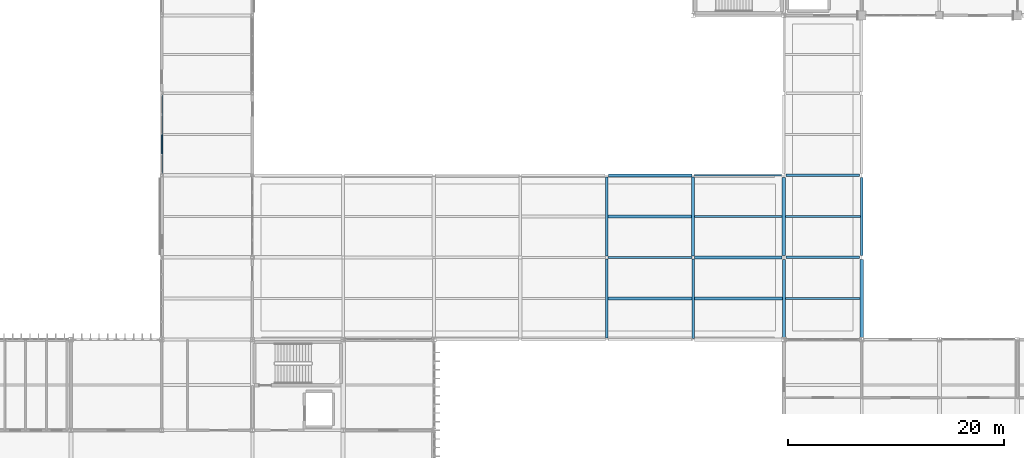
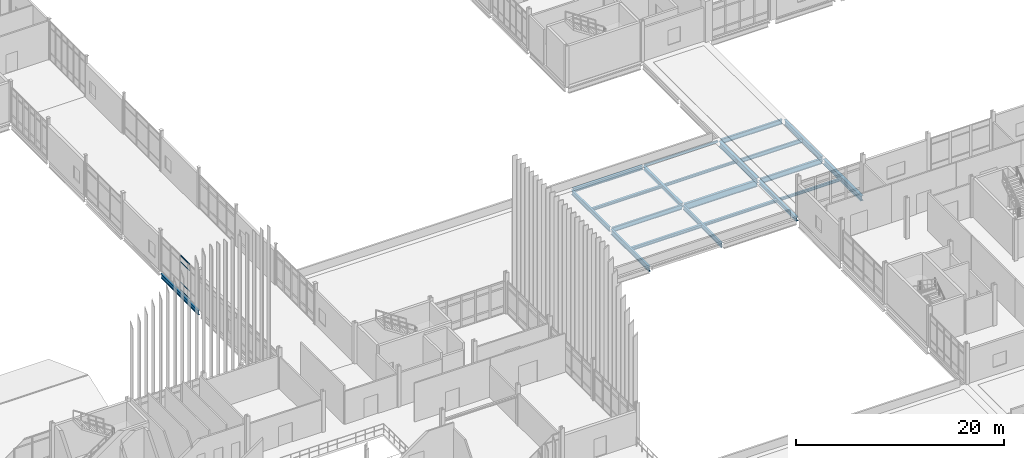
# One storey, part 51 of 153: 21 beams, 4 members, 1 element without a shape of its own.
"""IFC4 building model written with IfcOpenShell, lengths in metres."""

import ifcopenshell
import ifcopenshell.guid

model = None  # the IFC model being written
_history = None  # IfcOwnerHistory: only IFC2X3 demands one
_inside = {}  # id of a spatial element -> (the spatial element, [elements in it])
_under = {}  # id of a project, library or spatial element -> (it, [spatial elements below it])
_declared = {}  # id of a project -> (the project, [libraries it declares])
_typed = {}  # id of a type object -> (the type object, [elements of that type])
_made_of = {}  # id of a material, layer set ... -> (it, [elements and type objects made of it])


def new_model(schema):
    """Start an empty IFC model of exactly this schema.

    Asked for "IFC4X3", IfcOpenShell would pick the latest addendum, in which some entities
    have other attributes; the version numbers below select the first issue.
    IFC2X3 requires an IfcOwnerHistory on every rooted entity: one is made here for all.
    """
    global model, _history
    if schema == "IFC4X3":
        model = ifcopenshell.file(schema_version=(4, 3, 0, 0))
    else:
        model = ifcopenshell.file(schema=schema)
    _inside.clear()
    _under.clear()
    _declared.clear()
    _typed.clear()
    _made_of.clear()
    _history = None
    if model.schema == "IFC2X3":
        org = make("IfcOrganization", Name="unknown")
        user = make(
            "IfcPersonAndOrganization",
            ThePerson=make("IfcPerson", FamilyName="unknown"),
            TheOrganization=org,
        )
        app = make(
            "IfcApplication",
            ApplicationDeveloper=org,
            Version="unknown",
            ApplicationFullName="unknown",
            ApplicationIdentifier="unknown",
        )
        _history = make(
            "IfcOwnerHistory",
            OwningUser=user,
            OwningApplication=app,
            ChangeAction="ADDED",
            CreationDate=0,
        )
    return model


def make(cls, **values):
    """One entity of the class cls with the attributes given. An attribute that is None is left unset."""
    return model.create_entity(
        cls, **{name: value for name, value in values.items() if value is not None}
    )


def rooted(cls, **values):
    """An entity with a GlobalId (a new one), such as an element, a storey or a relation."""
    return make(cls, GlobalId=ifcopenshell.guid.new(), OwnerHistory=_history, **values)


def si_unit(unit_type, name, prefix=None):
    """IfcSIUnit, for example si_unit("LENGTHUNIT", "METRE", prefix="MILLI")."""
    return make("IfcSIUnit", UnitType=unit_type, Prefix=prefix, Name=name)


def assignment(units):
    """IfcUnitAssignment: the units of a project."""
    return None if units is None else make("IfcUnitAssignment", Units=units)


def point(xyz):
    """IfcCartesianPoint."""
    return None if xyz is None else make("IfcCartesianPoint", Coordinates=xyz)


def direction(xyz):
    """IfcDirection."""
    return None if xyz is None else make("IfcDirection", DirectionRatios=xyz)


def frame(location, z_axis=None, x_axis=None):
    """IfcAxis2Placement3D, a coordinate frame: its origin and axes. An axis left out is left unset."""
    return make(
        "IfcAxis2Placement3D",
        Location=point(location),
        Axis=direction(z_axis),
        RefDirection=direction(x_axis),
    )


def frame_2d(location, x_axis=None):
    """IfcAxis2Placement2D, a coordinate frame in the plane: its origin and x axis."""
    return make(
        "IfcAxis2Placement2D", Location=point(location), RefDirection=direction(x_axis)
    )


def origin():
    """The frame at (0, 0, 0) with its axes left unset."""
    return frame((0.0, 0.0, 0.0))


def origin_2d():
    """The frame at (0, 0) in the plane with its x axis left unset."""
    return frame_2d((0.0, 0.0))


def place(relative_to, where):
    """IfcLocalPlacement: puts the frame where relative to a parent placement (None: the world)."""
    return make(
        "IfcLocalPlacement", PlacementRelTo=relative_to, RelativePlacement=where
    )


def context(
    kind, dimensions, precision=None, world=None, true_north=None, identifier=None
):
    """IfcGeometricRepresentationContext, for example the 3D "Model" context."""
    return make(
        "IfcGeometricRepresentationContext",
        ContextIdentifier=identifier,
        ContextType=kind,
        CoordinateSpaceDimension=dimensions,
        Precision=precision,
        WorldCoordinateSystem=world,
        TrueNorth=true_north,
    )


def subcontext(parent, identifier, kind, view, scale=None):
    """IfcGeometricRepresentationSubContext, for example "Body" below "Model"."""
    return make(
        "IfcGeometricRepresentationSubContext",
        ContextIdentifier=identifier,
        ContextType=kind,
        ParentContext=parent,
        TargetScale=scale,
        TargetView=view,
    )


def project(units=None, contexts=None):
    """IfcProject with its units and contexts."""
    return rooted(
        "IfcProject",
        Name="project",
        RepresentationContexts=contexts,
        UnitsInContext=assignment(units),
    )


def spatial(cls, under=None, at=None, **own):
    """A site, building, storey or space (cls), placed at a placement, below another one or the project."""
    s = rooted(cls, ObjectPlacement=at, **own)
    if under is not None:
        _under.setdefault(under.id(), (under, []))[1].append(s)
    return s


def profile(cls, at=None, kind="AREA", **sizes):
    """A parametric profile (cls). Its sizes go by their IFC names, for example OverallWidth=200.0."""
    return make(cls, ProfileType=kind, Position=at, **sizes)


def hollow_rectangle(**sizes):
    """IfcRectangleHollowProfileDef."""
    return profile("IfcRectangleHollowProfileDef", **sizes)


def i_section(**sizes):
    """IfcIShapeProfileDef."""
    return profile("IfcIShapeProfileDef", **sizes)


def extrude(swept, where, along, depth):
    """IfcExtrudedAreaSolid: the profile swept, set in the frame where, extruded along a direction by depth."""
    return make(
        "IfcExtrudedAreaSolid",
        SweptArea=swept,
        Position=where,
        ExtrudedDirection=direction(along),
        Depth=depth,
    )


def shape(context_of_items, identifier, shape_type, items):
    """IfcShapeRepresentation: the items that make up one representation, for example the "Body"."""
    return make(
        "IfcShapeRepresentation",
        ContextOfItems=context_of_items,
        RepresentationIdentifier=identifier,
        RepresentationType=shape_type,
        Items=items,
    )


def material(Name=None, Category=None):
    """IfcMaterial."""
    return make("IfcMaterial", Name=Name, Category=Category)


def layer(
    of_material, thickness, ventilated=None, Name=None, Category=None, Priority=None
):
    """IfcMaterialLayer: one layer of a wall or slab, of a material (None: an air gap)."""
    return make(
        "IfcMaterialLayer",
        Material=of_material,
        LayerThickness=thickness,
        IsVentilated=ventilated,
        Name=Name,
        Category=Category,
        Priority=Priority,
    )


def layer_set(layers, Name=None):
    """IfcMaterialLayerSet."""
    return make("IfcMaterialLayerSet", MaterialLayers=layers, LayerSetName=Name)


def material_profile(
    of_material, cross_section, Name=None, Category=None, Priority=None
):
    """IfcMaterialProfile: a cross section and its material."""
    return make(
        "IfcMaterialProfile",
        Name=Name,
        Material=of_material,
        Profile=cross_section,
        Priority=Priority,
        Category=Category,
    )


def profile_set(profiles, Name=None, composite=None):
    """IfcMaterialProfileSet."""
    return make(
        "IfcMaterialProfileSet",
        Name=Name,
        MaterialProfiles=profiles,
        CompositeProfile=composite,
    )


def made_of(thing, what):
    """Note that an element or type object is made of a material, layer set ...; save() writes the relation."""
    if what is not None:
        _made_of.setdefault(what.id(), (what, []))[1].append(thing)
    return thing


def type_object(cls, material=None, **own):
    """A type object (cls), such as IfcWallType, which elements share."""
    return made_of(rooted(cls, **own), material)


def element(
    cls,
    number,
    at=None,
    inside=None,
    cuts=None,
    type_object=None,
    material=None,
    context=None,
    identifier="Body",
    shape_type=None,
    held_by="IfcProductDefinitionShape",
    body=None,
    shapes=None,
    **own,
):
    """One element of the class cls, such as IfcWall. Its Tag is "e" and its number.

    at: its placement. inside: the storey or other place that contains it. cuts: it is an
    opening in that element (IfcRelVoidsElement). A single representation is given by context,
    identifier, shape_type and body (its items); several are given by shapes. held_by: the class
    of the entity that holds the representations. save() writes the other relations.
    """
    e = rooted(cls, Tag="e%d" % number, ObjectPlacement=at, **own)
    if body is not None:
        shapes = [shape(context, identifier, shape_type, body)]
    if shapes is not None:
        e.Representation = make(held_by, Representations=shapes)
    if inside is not None:
        _inside.setdefault(inside.id(), (inside, []))[1].append(e)
    if cuts is not None:
        rooted(
            "IfcRelVoidsElement", RelatingBuildingElement=cuts, RelatedOpeningElement=e
        )
    if type_object is not None:
        _typed.setdefault(type_object.id(), (type_object, []))[1].append(e)
    return made_of(e, material)


def aggregate(whole, parts):
    """IfcRelAggregates: a whole, such as a stair, and the parts it consists of."""
    return rooted("IfcRelAggregates", RelatingObject=whole, RelatedObjects=parts)


def save(model, path):
    """Write the relations noted so far, then the file.

    IfcRelAggregates (storeys below a building ...), IfcRelContainedInSpatialStructure (elements
    in a storey), IfcRelDefinesByType, IfcRelAssociatesMaterial and IfcRelDeclares: one each for
    every whole, place, type object, material and project.
    """
    for whole, parts in _under.values():
        aggregate(whole, parts)
    for where, things in _inside.values():
        rooted(
            "IfcRelContainedInSpatialStructure",
            RelatedElements=things,
            RelatingStructure=where,
        )
    for kind, things in _typed.values():
        rooted("IfcRelDefinesByType", RelatedObjects=things, RelatingType=kind)
    for what, things in _made_of.values():
        rooted("IfcRelAssociatesMaterial", RelatedObjects=things, RelatingMaterial=what)
    for by, libraries in _declared.values():
        rooted("IfcRelDeclares", RelatingContext=by, RelatedDefinitions=libraries)
    model.write(path)


model = new_model("IFC4")

# Units and contexts
model_context = context("Model", 3, precision=1e-05, world=origin(), true_north=direction((0.0, 1.0)))
body_context = subcontext(model_context, "Body", "Model", "MODEL_VIEW")
ifc_project = project(units=[si_unit("LENGTHUNIT", "METRE"), si_unit("AREAUNIT", "SQUARE_METRE"), si_unit("VOLUMEUNIT", "CUBIC_METRE"), si_unit("PLANEANGLEUNIT", "RADIAN"), si_unit("MASSUNIT", "GRAM", prefix="KILO")], contexts=[model_context])

# Site, building, storey
site_placement = place(None, origin())
site = spatial("IfcSite", under=ifc_project, at=site_placement, CompositionType="ELEMENT")
building_placement = place(site_placement, origin())
building = spatial("IfcBuilding", under=site, at=building_placement, Name="Calvrana Isthmian Art Gallery", CompositionType="ELEMENT")
storey_placement = place(building_placement, frame((0.0, 0.0, 10.199951171875)))
storey = spatial("IfcBuildingStorey", under=building, at=storey_placement, Name="L02", CompositionType="ELEMENT", Elevation=10.199951171875)

# Beams
ifc_material_1 = material(Name="Steel ASTM A992 Gr 50", Category="steel")
ifc_material_profile_1 = material_profile(ifc_material_1, i_section(OverallWidth=0.279052734375, OverallDepth=0.4619140625, WebThickness=0.0107421875, FlangeThickness=0.017333984375, FilletRadius=0.02001953125, at=origin_2d()), Name="W18X76")
ifc_profile_set_1 = profile_set([ifc_material_profile_1], Name="Steel ASTM A992 Gr 50")
beam_type_1 = type_object("IfcBeamType", Name="BM-G-W18X76", PredefinedType="BEAM", material=ifc_profile_set_1)
beam_1_placement = place(storey_placement, frame((96.552490234375, 62.0, -0.495849609375), z_axis=(1.0, 0.0, 0.0), x_axis=(0.0, 1.0, 0.0)))
element("IfcBeam", 1, at=beam_1_placement, inside=storey, type_object=beam_type_1, Name="Girder X L02 13-14/I", PredefinedType="BEAM", context=body_context, shape_type="SweptSolid", body=[
    extrude(i_section(OverallWidth=0.279052734375, OverallDepth=0.4619140625, WebThickness=0.0107421875, FlangeThickness=0.017333984375, FilletRadius=0.02001953125, at=origin_2d()), origin(), (0.0, 0.0, 1.0), 7.745849609375),
])
beam_2_placement = place(storey_placement, frame((104.39990234375, 54.527099609375, -0.495849609375), z_axis=(0.0, 1.0, 0.0), x_axis=(-1.0, 0.0, 0.0)))
element("IfcBeam", 2, at=beam_2_placement, inside=storey, type_object=beam_type_1, Name="Girder Y L02 14/H-I", PredefinedType="BEAM", context=body_context, shape_type="SweptSolid", body=[
    extrude(i_section(OverallWidth=0.279052734375, OverallDepth=0.4619140625, WebThickness=0.0107421875, FlangeThickness=0.017333984375, FilletRadius=0.02001953125, at=origin_2d()), origin(), (0.0, 0.0, 1.0), 7.320556640625),
])
beam_3_placement = place(storey_placement, frame((112.800048828125, 46.990478515625, -0.495849609375), z_axis=(0.0, 1.0, 0.0), x_axis=(-1.0, 0.0, 0.0)))
element("IfcBeam", 3, at=beam_3_placement, inside=storey, type_object=beam_type_1, Name="Girder Y L02 15/G-H", PredefinedType="BEAM", context=body_context, shape_type="SweptSolid", body=[
    extrude(i_section(OverallWidth=0.279052734375, OverallDepth=0.4619140625, WebThickness=0.0107421875, FlangeThickness=0.017333984375, FilletRadius=0.02001953125, at=origin_2d()), origin(), (0.0, 0.0, 1.0), 7.222900390625),
])
ifc_material_profile_2 = material_profile(ifc_material_1, i_section(OverallWidth=0.208984375, OverallDepth=0.532958984375, WebThickness=0.01025390625, FlangeThickness=0.015625, FilletRadius=0.02099609375, at=origin_2d()), Name="W21X62")
ifc_profile_set_2 = profile_set([ifc_material_profile_2], Name="Steel ASTM A992 Gr 50")
beam_type_2 = type_object("IfcBeamType", Name="BM-G-W21X62", PredefinedType="BEAM", material=ifc_profile_set_2)
beam_4_placement = place(storey_placement, frame((96.501708984375, 54.39990234375, -0.531494140625), z_axis=(1.0, 0.0, 0.0), x_axis=(0.0, 1.0, 0.0)))
element("IfcBeam", 4, at=beam_4_placement, inside=storey, type_object=beam_type_2, Name="Girder X L02 13-14/H", PredefinedType="BEAM", context=body_context, shape_type="SweptSolid", body=[
    extrude(i_section(OverallWidth=0.208984375, OverallDepth=0.532958984375, WebThickness=0.01025390625, FlangeThickness=0.015625, FilletRadius=0.02099609375, at=origin_2d()), origin(), (0.0, 0.0, 1.0), 7.771240234375),
])
beam_5_placement = place(storey_placement, frame((55.199951171875, 62.1865234375, -0.531494140625), z_axis=(0.0, 1.0, 0.0), x_axis=(-1.0, 0.0, 0.0)))
element("IfcBeam", 5, at=beam_5_placement, inside=storey, type_object=beam_type_2, Name="Girder Y L02 08/I-J", PredefinedType="BEAM", context=body_context, shape_type="SweptSolid", body=[
    extrude(i_section(OverallWidth=0.208984375, OverallDepth=0.532958984375, WebThickness=0.01025390625, FlangeThickness=0.015625, FilletRadius=0.02099609375, at=origin_2d()), origin(), (0.0, 0.0, 1.0), 7.235595703125),
])
beam_6_placement = place(storey_placement, frame((96.39990234375, 54.552490234375, -0.531494140625), z_axis=(0.0, 1.0, 0.0), x_axis=(-1.0, 0.0, 0.0)))
element("IfcBeam", 6, at=beam_6_placement, inside=storey, type_object=beam_type_2, Name="Girder Y L02 13/H-I", PredefinedType="BEAM", context=body_context, shape_type="SweptSolid", body=[
    extrude(i_section(OverallWidth=0.208984375, OverallDepth=0.532958984375, WebThickness=0.01025390625, FlangeThickness=0.015625, FilletRadius=0.02099609375, at=origin_2d()), origin(), (0.0, 0.0, 1.0), 7.295166015625),
])
beam_7_placement = place(storey_placement, frame((104.39990234375, 46.901611328125, -0.531494140625), z_axis=(0.0, 1.0, 0.0), x_axis=(-1.0, 0.0, 0.0)))
element("IfcBeam", 7, at=beam_7_placement, inside=storey, type_object=beam_type_2, Name="Girder Y L02 14/G-H", PredefinedType="BEAM", context=body_context, shape_type="SweptSolid", body=[
    extrude(i_section(OverallWidth=0.208984375, OverallDepth=0.532958984375, WebThickness=0.01025390625, FlangeThickness=0.015625, FilletRadius=0.02099609375, at=origin_2d()), origin(), (0.0, 0.0, 1.0), 7.371337890625),
])
ifc_material_profile_3 = material_profile(ifc_material_1, i_section(OverallWidth=0.214111328125, OverallDepth=0.549072265625, WebThickness=0.0146484375, FlangeThickness=0.023681640625, FilletRadius=0.02099609375, at=origin_2d()), Name="W21X93")
ifc_profile_set_3 = profile_set([ifc_material_profile_3], Name="Steel ASTM A992 Gr 50")
beam_type_3 = type_object("IfcBeamType", Name="BM-G-W21X93", PredefinedType="BEAM", material=ifc_profile_set_3)
beam_8_placement = place(storey_placement, frame((112.98388671875, 62.0, -0.53955078125), z_axis=(1.0, 0.0, 0.0), x_axis=(0.0, 1.0, 0.0)))
element("IfcBeam", 8, at=beam_8_placement, inside=storey, type_object=beam_type_3, Name="Girder X L02 15-16/I", PredefinedType="BEAM", context=body_context, shape_type="SweptSolid", body=[
    extrude(i_section(OverallWidth=0.214111328125, OverallDepth=0.549072265625, WebThickness=0.0146484375, FlangeThickness=0.023681640625, FilletRadius=0.02099609375, at=origin_2d()), origin(), (0.0, 0.0, 1.0), 6.82958984375),
])
ifc_material_profile_4 = material_profile(ifc_material_1, i_section(OverallWidth=0.324951171875, OverallDepth=0.612060546875, WebThickness=0.0126953125, FlangeThickness=0.01904296875, FilletRadius=0.02197265625, at=origin_2d()), Name="W24X104")
ifc_profile_set_4 = profile_set([ifc_material_profile_4], Name="Steel ASTM A992 Gr 50")
beam_type_4 = type_object("IfcBeamType", Name="BM-G-W24X104", PredefinedType="BEAM", material=ifc_profile_set_4)
beam_9_placement = place(storey_placement, frame((112.800048828125, 54.58642578125, -0.571044921875), z_axis=(0.0, 1.0, 0.0), x_axis=(-1.0, 0.0, 0.0)))
element("IfcBeam", 9, at=beam_9_placement, inside=storey, type_object=beam_type_4, Name="Girder Y L02 15/H-I", PredefinedType="BEAM", context=body_context, shape_type="SweptSolid", body=[
    extrude(i_section(OverallWidth=0.324951171875, OverallDepth=0.612060546875, WebThickness=0.0126953125, FlangeThickness=0.01904296875, FilletRadius=0.02197265625, at=origin_2d()), origin(), (0.0, 0.0, 1.0), 7.235595703125),
])
beam_10_placement = place(storey_placement, frame((120.0, 46.988037109375, -0.571044921875), z_axis=(0.0, 1.0, 0.0), x_axis=(-1.0, 0.0, 0.0)))
element("IfcBeam", 10, at=beam_10_placement, inside=storey, type_object=beam_type_4, Name="Girder Y L02 16/G-H", PredefinedType="BEAM", context=body_context, shape_type="SweptSolid", body=[
    extrude(i_section(OverallWidth=0.324951171875, OverallDepth=0.612060546875, WebThickness=0.0126953125, FlangeThickness=0.01904296875, FilletRadius=0.02197265625, at=origin_2d()), origin(), (0.0, 0.0, 1.0), 7.22802734375),
])
ifc_material_profile_5 = material_profile(ifc_material_1, i_section(OverallWidth=0.22802734375, OverallDepth=0.60693359375, WebThickness=0.01123046875, FlangeThickness=0.017333984375, FilletRadius=0.02197265625, at=origin_2d()), Name="W24X76")
ifc_profile_set_5 = profile_set([ifc_material_profile_5], Name="Steel ASTM A992 Gr 50")
beam_type_5 = type_object("IfcBeamType", Name="BM-G-W24X76", PredefinedType="BEAM", material=ifc_profile_set_5)
beam_11_placement = place(storey_placement, frame((112.986572265625, 54.39990234375, -0.568359375), z_axis=(1.0, 0.0, 0.0), x_axis=(0.0, 1.0, 0.0)))
element("IfcBeam", 11, at=beam_11_placement, inside=storey, type_object=beam_type_5, Name="Girder X L02 15-16/H", PredefinedType="BEAM", context=body_context, shape_type="SweptSolid", body=[
    extrude(i_section(OverallWidth=0.22802734375, OverallDepth=0.60693359375, WebThickness=0.01123046875, FlangeThickness=0.017333984375, FilletRadius=0.02197265625, at=origin_2d()), origin(), (0.0, 0.0, 1.0), 6.826904296875),
])
beam_12_placement = place(storey_placement, frame((96.39990234375, 46.927001953125, -0.568359375), z_axis=(0.0, 1.0, 0.0), x_axis=(-1.0, 0.0, 0.0)))
element("IfcBeam", 12, at=beam_12_placement, inside=storey, type_object=beam_type_5, Name="Girder Y L02 13/G-H", PredefinedType="BEAM", context=body_context, shape_type="SweptSolid", body=[
    extrude(i_section(OverallWidth=0.22802734375, OverallDepth=0.60693359375, WebThickness=0.01123046875, FlangeThickness=0.017333984375, FilletRadius=0.02197265625, at=origin_2d()), origin(), (0.0, 0.0, 1.0), 7.320556640625),
])
beam_13_placement = place(storey_placement, frame((120.0, 54.583984375, -0.568359375), z_axis=(0.0, 1.0, 0.0), x_axis=(-1.0, 0.0, 0.0)))
element("IfcBeam", 13, at=beam_13_placement, inside=storey, type_object=beam_type_5, Name="Girder Y L02 16/H-I", PredefinedType="BEAM", context=body_context, shape_type="SweptSolid", body=[
    extrude(i_section(OverallWidth=0.22802734375, OverallDepth=0.60693359375, WebThickness=0.01123046875, FlangeThickness=0.017333984375, FilletRadius=0.02197265625, at=origin_2d()), origin(), (0.0, 0.0, 1.0), 7.2294921875),
])
ifc_material_profile_6 = material_profile(ifc_material_1, i_section(OverallWidth=0.26708984375, OverallDepth=0.761962890625, WebThickness=0.014404296875, FlangeThickness=0.021484375, FilletRadius=0.02490234375, at=origin_2d()), Name="W30X116")
ifc_profile_set_6 = profile_set([ifc_material_profile_6], Name="Steel ASTM A992 Gr 50")
beam_type_6 = type_object("IfcBeamType", Name="BM-G-W30X116", PredefinedType="BEAM", material=ifc_profile_set_6)
beam_14_placement = place(storey_placement, frame((104.527099609375, 54.39990234375, -0.64599609375), z_axis=(1.0, 0.0, 0.0), x_axis=(0.0, 1.0, 0.0)))
element("IfcBeam", 14, at=beam_14_placement, inside=storey, type_object=beam_type_6, Name="Girder X L02 14-15/H", PredefinedType="BEAM", context=body_context, shape_type="SweptSolid", body=[
    extrude(i_section(OverallWidth=0.26708984375, OverallDepth=0.761962890625, WebThickness=0.014404296875, FlangeThickness=0.021484375, FilletRadius=0.02490234375, at=origin_2d()), origin(), (0.0, 0.0, 1.0), 8.08642578125),
])
ifc_material_profile_7 = material_profile(ifc_material_1, i_section(OverallWidth=0.202880859375, OverallDepth=0.302001953125, WebThickness=0.007568359375, FlangeThickness=0.01318359375, FilletRadius=0.01611328125, at=origin_2d()), Name="W12X40")
ifc_profile_set_7 = profile_set([ifc_material_profile_7], Name="Steel ASTM A992 Gr 50")
beam_type_7 = type_object("IfcBeamType", Name="BM-J-W12X40", PredefinedType="JOIST", material=ifc_profile_set_7)
beam_15_placement = place(storey_placement, frame((104.53955078125, 58.199951171875, -0.416015625), z_axis=(1.0, 0.0, 0.0), x_axis=(0.0, 1.0, 0.0)))
element("IfcBeam", 15, at=beam_15_placement, inside=storey, type_object=beam_type_7, Name="Composite joist L02 bay 13-07", PredefinedType="JOIST", context=body_context, shape_type="SweptSolid", body=[
    extrude(i_section(OverallWidth=0.202880859375, OverallDepth=0.302001953125, WebThickness=0.007568359375, FlangeThickness=0.01318359375, FilletRadius=0.01611328125, at=origin_2d()), origin(), (0.0, 0.0, 1.0), 8.097900390625),
])
beam_16_placement = place(storey_placement, frame((112.939453125, 50.60009765625, -0.416015625), z_axis=(1.0, 0.0, 0.0), x_axis=(0.0, 1.0, 0.0)))
element("IfcBeam", 16, at=beam_16_placement, inside=storey, type_object=beam_type_7, Name="Composite joist L02 bay 14-06", PredefinedType="JOIST", context=body_context, shape_type="SweptSolid", body=[
    extrude(i_section(OverallWidth=0.202880859375, OverallDepth=0.302001953125, WebThickness=0.007568359375, FlangeThickness=0.01318359375, FilletRadius=0.01611328125, at=origin_2d()), origin(), (0.0, 0.0, 1.0), 6.89794921875),
])
ifc_material_profile_8 = material_profile(ifc_material_1, i_section(OverallWidth=0.25390625, OverallDepth=0.306884765625, WebThickness=0.0087890625, FlangeThickness=0.0146484375, FilletRadius=0.01611328125, at=origin_2d()), Name="W12X53")
ifc_profile_set_8 = profile_set([ifc_material_profile_8], Name="Steel ASTM A992 Gr 50")
beam_type_8 = type_object("IfcBeamType", Name="BM-J-W12X53", PredefinedType="JOIST", material=ifc_profile_set_8)
beam_17_placement = place(storey_placement, frame((96.50439453125, 58.199951171875, -0.41845703125), z_axis=(1.0, 0.0, 0.0), x_axis=(0.0, 1.0, 0.0)))
element("IfcBeam", 17, at=beam_17_placement, inside=storey, type_object=beam_type_8, Name="Composite joist L02 bay 12-07", PredefinedType="JOIST", context=body_context, shape_type="SweptSolid", body=[
    extrude(i_section(OverallWidth=0.25390625, OverallDepth=0.306884765625, WebThickness=0.0087890625, FlangeThickness=0.0146484375, FilletRadius=0.01611328125, at=origin_2d()), origin(), (0.0, 0.0, 1.0), 7.756103515625),
])
beam_18_placement = place(storey_placement, frame((104.50439453125, 50.60009765625, -0.41845703125), z_axis=(1.0, 0.0, 0.0), x_axis=(0.0, 1.0, 0.0)))
element("IfcBeam", 18, at=beam_18_placement, inside=storey, type_object=beam_type_8, Name="Composite joist L02 bay 13-06", PredefinedType="JOIST", context=body_context, shape_type="SweptSolid", body=[
    extrude(i_section(OverallWidth=0.25390625, OverallDepth=0.306884765625, WebThickness=0.0087890625, FlangeThickness=0.0146484375, FilletRadius=0.01611328125, at=origin_2d()), origin(), (0.0, 0.0, 1.0), 8.156005859375),
])
ifc_material_profile_9 = material_profile(ifc_material_1, i_section(OverallWidth=0.25390625, OverallDepth=0.35302734375, WebThickness=0.009521484375, FlangeThickness=0.016357421875, FilletRadius=0.01806640625, at=origin_2d()), Name="W14X61")
ifc_profile_set_9 = profile_set([ifc_material_profile_9], Name="Steel ASTM A992 Gr 50")
beam_type_9 = type_object("IfcBeamType", Name="BM-J-W14X61", PredefinedType="JOIST", material=ifc_profile_set_9)
beam_19_placement = place(storey_placement, frame((96.513916015625, 50.60009765625, -0.44140625), z_axis=(1.0, 0.0, 0.0), x_axis=(0.0, 1.0, 0.0)))
element("IfcBeam", 19, at=beam_19_placement, inside=storey, type_object=beam_type_9, Name="Composite joist L02 bay 12-06", PredefinedType="JOIST", context=body_context, shape_type="SweptSolid", body=[
    extrude(i_section(OverallWidth=0.25390625, OverallDepth=0.35302734375, WebThickness=0.009521484375, FlangeThickness=0.016357421875, FilletRadius=0.01806640625, at=origin_2d()), origin(), (0.0, 0.0, 1.0), 7.781494140625),
])
ifc_material_profile_10 = material_profile(ifc_material_1, i_section(OverallWidth=0.19091796875, OverallDepth=0.45703125, WebThickness=0.009033203125, FlangeThickness=0.014404296875, FilletRadius=0.02001953125, at=origin_2d()), Name="W18X50")
ifc_profile_set_10 = profile_set([ifc_material_profile_10], Name="Steel ASTM A992 Gr 50")
beam_type_10 = type_object("IfcBeamType", Name="BM-J-W18X50", PredefinedType="JOIST", material=ifc_profile_set_10)
beam_20_placement = place(storey_placement, frame((112.96240234375, 58.199951171875, -0.493408203125), z_axis=(1.0, 0.0, 0.0), x_axis=(0.0, 1.0, 0.0)))
element("IfcBeam", 20, at=beam_20_placement, inside=storey, type_object=beam_type_10, Name="Composite joist L02 bay 14-07", PredefinedType="JOIST", context=body_context, shape_type="SweptSolid", body=[
    extrude(i_section(OverallWidth=0.19091796875, OverallDepth=0.45703125, WebThickness=0.009033203125, FlangeThickness=0.014404296875, FilletRadius=0.02001953125, at=origin_2d()), origin(), (0.0, 0.0, 1.0), 6.923583984375),
])
ifc_material_2 = material(Name="Steel ASTM A500 Gr C", Category="steel")
ifc_material_profile_11 = material_profile(ifc_material_2, hollow_rectangle(XDim=0.15234375, YDim=0.25390625, WallThickness=0.009521484375, OuterFilletRadius=0.01904296875, at=origin_2d()), Name="HSS254X152X9.5")
ifc_profile_set_11 = profile_set([ifc_material_profile_11], Name="Steel ASTM A500 Gr C")
beam_type_11 = type_object("IfcBeamType", Name="BM-SP-HSS254", PredefinedType="SPANDREL", material=ifc_profile_set_11)
beam_21_placement = place(storey_placement, frame((104.501708984375, 62.0, -0.391845703125), z_axis=(1.0, 0.0, 0.0), x_axis=(0.0, 1.0, 0.0)))
element("IfcBeam", 21, at=beam_21_placement, inside=storey, type_object=beam_type_11, Name="Girder X L02 14-15/I", PredefinedType="SPANDREL", context=body_context, shape_type="SweptSolid", body=[
    extrude(hollow_rectangle(XDim=0.15234375, YDim=0.25390625, WallThickness=0.009521484375, OuterFilletRadius=0.01904296875, at=origin_2d()), origin(), (0.0, 0.0, 1.0), 8.1142578125),
])

# Curtain wall, members
ifc_material_3 = material(Name="Anodized bronze aluminium 6063-T6", Category="aluminium")
ifc_layer = layer(ifc_material_3, 0.179931640625, Name="Anodized bronze aluminium 6063-T6")
ifc_layer_set = layer_set([ifc_layer], Name="Anodized bronze aluminium 6063-T6")
curtain_wall_type = type_object("IfcCurtainWallType", Name="CW-UNIT-073X41", PredefinedType="USERDEFINED", material=ifc_layer_set)
curtain_wall_placement = place(storey_placement, origin())
curtain_wall = element("IfcCurtainWall", 22, at=curtain_wall_placement, inside=storey, type_object=curtain_wall_type, Name="Curtain wall CW-170", ObjectType="UNITISED CURTAIN WALL", PredefinedType="USERDEFINED")
ifc_material_profile_12 = material_profile(ifc_material_3, hollow_rectangle(XDim=0.06005859375, YDim=0.110107421875, WallThickness=0.00341796875, at=origin_2d()), Name="CWT60X110")
ifc_profile_set_12 = profile_set([ifc_material_profile_12], Name="Anodized bronze aluminium 6063-T6")
member_type = type_object("IfcMemberType", Name="CWT-CWT60X110", PredefinedType="USERDEFINED", material=ifc_profile_set_12)
member_1_placement = place(storey_placement, frame((55.199951171875, 63.98974609375, 0.030029296875), z_axis=(0.0, 1.0, 0.0), x_axis=(-1.0, 0.0, 0.0)))
member_1 = element("IfcMember", 23, at=member_1_placement, type_object=member_type, Name="CW-170 transom 2.1", ObjectType="TRANSOM", PredefinedType="USERDEFINED", context=body_context, shape_type="SweptSolid", body=[
    extrude(hollow_rectangle(XDim=0.06005859375, YDim=0.110107421875, WallThickness=0.00341796875, at=origin_2d()), origin(), (0.0, 0.0, 1.0), 1.76513671875),
])
member_2_placement = place(storey_placement, frame((55.199951171875, 63.98974609375, 0.900146484375), z_axis=(0.0, 1.0, 0.0), x_axis=(-1.0, 0.0, 0.0)))
member_2 = element("IfcMember", 24, at=member_2_placement, type_object=member_type, Name="CW-170 transom 2.2", ObjectType="TRANSOM", PredefinedType="USERDEFINED", context=body_context, shape_type="SweptSolid", body=[
    extrude(hollow_rectangle(XDim=0.06005859375, YDim=0.110107421875, WallThickness=0.00341796875, at=origin_2d()), origin(), (0.0, 0.0, 1.0), 1.76513671875),
])
member_3_placement = place(storey_placement, frame((55.199951171875, 63.98974609375, 3.328125), z_axis=(0.0, 1.0, 0.0), x_axis=(-1.0, 0.0, 0.0)))
member_3 = element("IfcMember", 25, at=member_3_placement, type_object=member_type, Name="CW-170 transom 2.3", ObjectType="TRANSOM", PredefinedType="USERDEFINED", context=body_context, shape_type="SweptSolid", body=[
    extrude(hollow_rectangle(XDim=0.06005859375, YDim=0.110107421875, WallThickness=0.00341796875, at=origin_2d()), origin(), (0.0, 0.0, 1.0), 1.76513671875),
])
member_4_placement = place(storey_placement, frame((55.199951171875, 63.98974609375, 4.048095703125), z_axis=(0.0, 1.0, 0.0), x_axis=(-1.0, 0.0, 0.0)))
member_4 = element("IfcMember", 26, at=member_4_placement, type_object=member_type, Name="CW-170 transom 2.4", ObjectType="TRANSOM", PredefinedType="USERDEFINED", context=body_context, shape_type="SweptSolid", body=[
    extrude(hollow_rectangle(XDim=0.06005859375, YDim=0.110107421875, WallThickness=0.00341796875, at=origin_2d()), origin(), (0.0, 0.0, 1.0), 1.76513671875),
])
aggregate(curtain_wall, [member_1, member_2, member_3, member_4])

save(model, "model.ifc")
